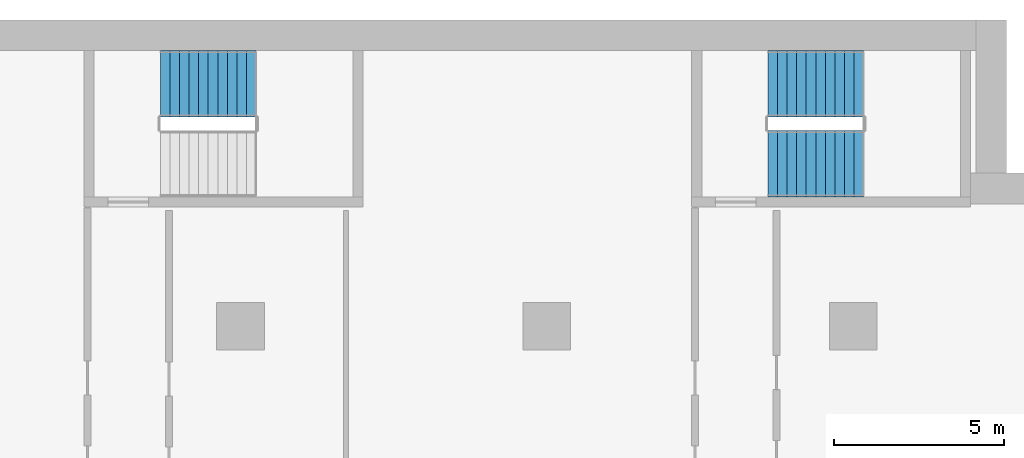
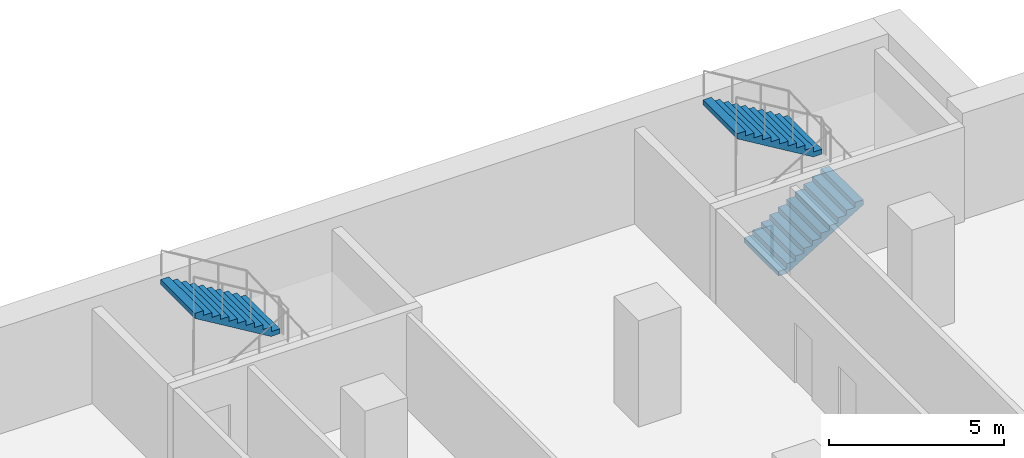
# One storey, part 22 of 28: 3 stair flights, 2 elements without a shape of their own.
"""IFC4 building model written with IfcOpenShell, lengths in metres."""

from ifc_helpers import new_model, si_unit, direction, frame, origin, place, context, subcontext, project, spatial, polyline, outline, extrude, material, type_object, element, aggregate, save


model = new_model("IFC4")

# Units and contexts
model_context = context("Model", 3, precision=1e-05, world=origin(), true_north=direction((0.0, 1.0)))
body_context = subcontext(model_context, "Body", "Model", "MODEL_VIEW")
ifc_project = project(units=[si_unit("LENGTHUNIT", "METRE"), si_unit("AREAUNIT", "SQUARE_METRE"), si_unit("VOLUMEUNIT", "CUBIC_METRE"), si_unit("PLANEANGLEUNIT", "RADIAN"), si_unit("MASSUNIT", "GRAM", prefix="KILO")], contexts=[model_context])

# Site, building, storey
site_placement = place(None, origin())
site = spatial("IfcSite", under=ifc_project, at=site_placement, CompositionType="ELEMENT")
building_placement = place(site_placement, origin())
building = spatial("IfcBuilding", under=site, at=building_placement, Name="Hunhe Ridgeline Campus", CompositionType="ELEMENT")
storey_placement = place(building_placement, frame((0.0, 0.0, 72.800048828125)))
storey = spatial("IfcBuildingStorey", under=building, at=storey_placement, Name="L17", CompositionType="ELEMENT", Elevation=72.800048828125)

# Stair, stair flight
ifc_material = material(Name="Concrete C40", Category="concrete")
stair_type = type_object("IfcStairType", Name="Reinforced concrete dog-leg stair 1950 Concrete C40", PredefinedType="HALF_TURN_STAIR", material=ifc_material)
stair_1_placement = place(storey_placement, origin())
stair_1 = element("IfcStair", 1, at=stair_1_placement, inside=storey, type_object=stair_type, Name="L17 E3", PredefinedType="HALF_TURN_STAIR")
stair_flight_type = type_object("IfcStairFlightType", Name="Reinforced concrete stair flight 1950 Concrete C40", PredefinedType="STRAIGHT", material=ifc_material)
stair_flight_1_placement = place(storey_placement, frame((72.449951171875, 97.125, 1.849853515625), z_axis=(0.0, 0.0, 1.0), x_axis=(-1.0, 0.0, 0.0)))
stair_flight_1 = element("IfcStairFlight", 2, at=stair_flight_1_placement, type_object=stair_flight_type, Name="ST7 flight 2", NumberOfRisers=11, NumberOfTreads=10, PredefinedType="STRAIGHT", RiserHeight=0.168181818, TreadLength=0.28, context=body_context, shape_type="SweptSolid", body=[
    extrude(outline(polyline([(0.0, 0.0), (0.0, 0.168212890625), (0.280029296875, 0.168212890625), (0.280029296875, 0.33642578125), (0.56005859375, 0.33642578125), (0.56005859375, 0.504638671875), (0.840087890625, 0.504638671875), (0.840087890625, 0.672607421875), (1.1201171875, 0.672607421875), (1.1201171875, 0.8408203125), (1.39990234375, 0.8408203125), (1.39990234375, 1.009033203125), (1.679931640625, 1.009033203125), (1.679931640625, 1.17724609375), (1.9599609375, 1.17724609375), (1.9599609375, 1.345458984375), (2.239990234375, 1.345458984375), (2.239990234375, 1.513671875), (2.52001953125, 1.513671875), (2.52001953125, 1.681884765625), (2.800048828125, 1.681884765625), (2.800048828125, 1.85009765625), (2.800048828125, 1.5068359375), (0.291015625, 0.0), (0.0, 0.0)])), frame((0.0, 0.97509765625, 0.0), z_axis=(0.0, -1.0, 0.0), x_axis=(1.0, 0.0, 0.0)), (0.0, 0.0, 1.0), 1.949951171875),
    extrude(outline(polyline([(0.030029296875, 0.030029296875), (0.030029296875, 0.13818359375), (0.31005859375, 0.13818359375), (0.31005859375, 0.306396484375), (0.590087890625, 0.306396484375), (0.590087890625, 0.474609375), (0.8701171875, 0.474609375), (0.8701171875, 0.642578125), (1.14990234375, 0.642578125), (1.14990234375, 0.810791015625), (1.429931640625, 0.810791015625), (1.429931640625, 0.97900390625), (1.7099609375, 0.97900390625), (1.7099609375, 1.147216796875), (1.989990234375, 1.147216796875), (1.989990234375, 1.3154296875), (2.27001953125, 1.3154296875), (2.27001953125, 1.483642578125), (2.550048828125, 1.483642578125), (2.550048828125, 1.65185546875), (2.77001953125, 1.65185546875), (2.77001953125, 1.52392578125), (0.28271484375, 0.030029296875), (0.030029296875, 0.030029296875)])), frame((0.0, -0.070068359375, 0.0), z_axis=(0.0, -1.0, 0.0), x_axis=(1.0, 0.0, 0.0)), (0.0, 0.0, 1.0), 0.019775390625),
    extrude(outline(polyline([(0.030029296875, 0.030029296875), (0.030029296875, 0.13818359375), (0.31005859375, 0.13818359375), (0.31005859375, 0.306396484375), (0.590087890625, 0.306396484375), (0.590087890625, 0.474609375), (0.8701171875, 0.474609375), (0.8701171875, 0.642578125), (1.14990234375, 0.642578125), (1.14990234375, 0.810791015625), (1.429931640625, 0.810791015625), (1.429931640625, 0.97900390625), (1.7099609375, 0.97900390625), (1.7099609375, 1.147216796875), (1.989990234375, 1.147216796875), (1.989990234375, 1.3154296875), (2.27001953125, 1.3154296875), (2.27001953125, 1.483642578125), (2.550048828125, 1.483642578125), (2.550048828125, 1.65185546875), (2.77001953125, 1.65185546875), (2.77001953125, 1.52392578125), (0.28271484375, 0.030029296875), (0.030029296875, 0.030029296875)])), frame((0.0, 0.010009765625, 0.0), z_axis=(0.0, -1.0, 0.0), x_axis=(1.0, 0.0, 0.0)), (0.0, 0.0, 1.0), 0.019775390625),
    extrude(outline(polyline([(0.030029296875, 0.030029296875), (0.030029296875, 0.13818359375), (0.31005859375, 0.13818359375), (0.31005859375, 0.306396484375), (0.590087890625, 0.306396484375), (0.590087890625, 0.474609375), (0.8701171875, 0.474609375), (0.8701171875, 0.642578125), (1.14990234375, 0.642578125), (1.14990234375, 0.810791015625), (1.429931640625, 0.810791015625), (1.429931640625, 0.97900390625), (1.7099609375, 0.97900390625), (1.7099609375, 1.147216796875), (1.989990234375, 1.147216796875), (1.989990234375, 1.3154296875), (2.27001953125, 1.3154296875), (2.27001953125, 1.483642578125), (2.550048828125, 1.483642578125), (2.550048828125, 1.65185546875), (2.77001953125, 1.65185546875), (2.77001953125, 1.52392578125), (0.28271484375, 0.030029296875), (0.030029296875, 0.030029296875)])), frame((0.0, 0.090087890625, 0.0), z_axis=(0.0, -1.0, 0.0), x_axis=(1.0, 0.0, 0.0)), (0.0, 0.0, 1.0), 0.019775390625),
])
aggregate(stair_1, [stair_flight_1])

# Stair, stair flights
stair_2_placement = place(storey_placement, origin())
stair_2 = element("IfcStair", 3, at=stair_2_placement, inside=storey, type_object=stair_type, Name="L17 E4", PredefinedType="HALF_TURN_STAIR")
stair_flight_2_placement = place(storey_placement, frame((87.5, 94.77490234375, 0.0), z_axis=(0.0, 0.0, 1.0), x_axis=(1.0, 0.0, 0.0)))
stair_flight_2 = element("IfcStairFlight", 4, at=stair_flight_2_placement, type_object=stair_flight_type, Name="ST8 flight 1", NumberOfRisers=11, NumberOfTreads=10, PredefinedType="STRAIGHT", RiserHeight=0.168181818, TreadLength=0.28, context=body_context, shape_type="SweptSolid", body=[
    extrude(outline(polyline([(0.0, 0.0), (0.0, 0.168212890625), (0.280029296875, 0.168212890625), (0.280029296875, 0.33642578125), (0.56005859375, 0.33642578125), (0.56005859375, 0.504638671875), (0.840087890625, 0.504638671875), (0.840087890625, 0.672607421875), (1.1201171875, 0.672607421875), (1.1201171875, 0.8408203125), (1.39990234375, 0.8408203125), (1.39990234375, 1.009033203125), (1.679931640625, 1.009033203125), (1.679931640625, 1.17724609375), (1.9599609375, 1.17724609375), (1.9599609375, 1.345458984375), (2.239990234375, 1.345458984375), (2.239990234375, 1.513671875), (2.52001953125, 1.513671875), (2.52001953125, 1.681884765625), (2.800048828125, 1.681884765625), (2.800048828125, 1.85009765625), (2.800048828125, 1.5068359375), (0.291015625, 0.0), (0.0, 0.0)])), frame((0.0, 0.97509765625, 0.0), z_axis=(0.0, -1.0, 0.0), x_axis=(1.0, 0.0, 0.0)), (0.0, 0.0, 1.0), 1.949951171875),
    extrude(outline(polyline([(0.030029296875, 0.030029296875), (0.030029296875, 0.13818359375), (0.31005859375, 0.13818359375), (0.31005859375, 0.306396484375), (0.590087890625, 0.306396484375), (0.590087890625, 0.474609375), (0.8701171875, 0.474609375), (0.8701171875, 0.642578125), (1.14990234375, 0.642578125), (1.14990234375, 0.810791015625), (1.429931640625, 0.810791015625), (1.429931640625, 0.97900390625), (1.7099609375, 0.97900390625), (1.7099609375, 1.147216796875), (1.989990234375, 1.147216796875), (1.989990234375, 1.3154296875), (2.27001953125, 1.3154296875), (2.27001953125, 1.483642578125), (2.550048828125, 1.483642578125), (2.550048828125, 1.65185546875), (2.77001953125, 1.65185546875), (2.77001953125, 1.52392578125), (0.28271484375, 0.030029296875), (0.030029296875, 0.030029296875)])), frame((0.0, -0.070068359375, 0.0), z_axis=(0.0, -1.0, 0.0), x_axis=(1.0, 0.0, 0.0)), (0.0, 0.0, 1.0), 0.019775390625),
    extrude(outline(polyline([(0.030029296875, 0.030029296875), (0.030029296875, 0.13818359375), (0.31005859375, 0.13818359375), (0.31005859375, 0.306396484375), (0.590087890625, 0.306396484375), (0.590087890625, 0.474609375), (0.8701171875, 0.474609375), (0.8701171875, 0.642578125), (1.14990234375, 0.642578125), (1.14990234375, 0.810791015625), (1.429931640625, 0.810791015625), (1.429931640625, 0.97900390625), (1.7099609375, 0.97900390625), (1.7099609375, 1.147216796875), (1.989990234375, 1.147216796875), (1.989990234375, 1.3154296875), (2.27001953125, 1.3154296875), (2.27001953125, 1.483642578125), (2.550048828125, 1.483642578125), (2.550048828125, 1.65185546875), (2.77001953125, 1.65185546875), (2.77001953125, 1.52392578125), (0.28271484375, 0.030029296875), (0.030029296875, 0.030029296875)])), frame((0.0, 0.010009765625, 0.0), z_axis=(0.0, -1.0, 0.0), x_axis=(1.0, 0.0, 0.0)), (0.0, 0.0, 1.0), 0.019775390625),
    extrude(outline(polyline([(0.030029296875, 0.030029296875), (0.030029296875, 0.13818359375), (0.31005859375, 0.13818359375), (0.31005859375, 0.306396484375), (0.590087890625, 0.306396484375), (0.590087890625, 0.474609375), (0.8701171875, 0.474609375), (0.8701171875, 0.642578125), (1.14990234375, 0.642578125), (1.14990234375, 0.810791015625), (1.429931640625, 0.810791015625), (1.429931640625, 0.97900390625), (1.7099609375, 0.97900390625), (1.7099609375, 1.147216796875), (1.989990234375, 1.147216796875), (1.989990234375, 1.3154296875), (2.27001953125, 1.3154296875), (2.27001953125, 1.483642578125), (2.550048828125, 1.483642578125), (2.550048828125, 1.65185546875), (2.77001953125, 1.65185546875), (2.77001953125, 1.52392578125), (0.28271484375, 0.030029296875), (0.030029296875, 0.030029296875)])), frame((0.0, 0.090087890625, 0.0), z_axis=(0.0, -1.0, 0.0), x_axis=(1.0, 0.0, 0.0)), (0.0, 0.0, 1.0), 0.019775390625),
])
stair_flight_3_placement = place(storey_placement, frame((90.300048828125, 97.125, 1.849853515625), z_axis=(0.0, 0.0, 1.0), x_axis=(-1.0, 0.0, 0.0)))
stair_flight_3 = element("IfcStairFlight", 5, at=stair_flight_3_placement, type_object=stair_flight_type, Name="ST8 flight 2", NumberOfRisers=11, NumberOfTreads=10, PredefinedType="STRAIGHT", RiserHeight=0.168181818, TreadLength=0.28, context=body_context, shape_type="SweptSolid", body=[
    extrude(outline(polyline([(0.0, 0.0), (0.0, 0.168212890625), (0.280029296875, 0.168212890625), (0.280029296875, 0.33642578125), (0.56005859375, 0.33642578125), (0.56005859375, 0.504638671875), (0.840087890625, 0.504638671875), (0.840087890625, 0.672607421875), (1.1201171875, 0.672607421875), (1.1201171875, 0.8408203125), (1.39990234375, 0.8408203125), (1.39990234375, 1.009033203125), (1.679931640625, 1.009033203125), (1.679931640625, 1.17724609375), (1.9599609375, 1.17724609375), (1.9599609375, 1.345458984375), (2.239990234375, 1.345458984375), (2.239990234375, 1.513671875), (2.52001953125, 1.513671875), (2.52001953125, 1.681884765625), (2.800048828125, 1.681884765625), (2.800048828125, 1.85009765625), (2.800048828125, 1.5068359375), (0.291015625, 0.0), (0.0, 0.0)])), frame((0.0, 0.97509765625, 0.0), z_axis=(0.0, -1.0, 0.0), x_axis=(1.0, 0.0, 0.0)), (0.0, 0.0, 1.0), 1.949951171875),
    extrude(outline(polyline([(0.030029296875, 0.030029296875), (0.030029296875, 0.13818359375), (0.31005859375, 0.13818359375), (0.31005859375, 0.306396484375), (0.590087890625, 0.306396484375), (0.590087890625, 0.474609375), (0.8701171875, 0.474609375), (0.8701171875, 0.642578125), (1.14990234375, 0.642578125), (1.14990234375, 0.810791015625), (1.429931640625, 0.810791015625), (1.429931640625, 0.97900390625), (1.7099609375, 0.97900390625), (1.7099609375, 1.147216796875), (1.989990234375, 1.147216796875), (1.989990234375, 1.3154296875), (2.27001953125, 1.3154296875), (2.27001953125, 1.483642578125), (2.550048828125, 1.483642578125), (2.550048828125, 1.65185546875), (2.77001953125, 1.65185546875), (2.77001953125, 1.52392578125), (0.28271484375, 0.030029296875), (0.030029296875, 0.030029296875)])), frame((0.0, -0.070068359375, 0.0), z_axis=(0.0, -1.0, 0.0), x_axis=(1.0, 0.0, 0.0)), (0.0, 0.0, 1.0), 0.019775390625),
    extrude(outline(polyline([(0.030029296875, 0.030029296875), (0.030029296875, 0.13818359375), (0.31005859375, 0.13818359375), (0.31005859375, 0.306396484375), (0.590087890625, 0.306396484375), (0.590087890625, 0.474609375), (0.8701171875, 0.474609375), (0.8701171875, 0.642578125), (1.14990234375, 0.642578125), (1.14990234375, 0.810791015625), (1.429931640625, 0.810791015625), (1.429931640625, 0.97900390625), (1.7099609375, 0.97900390625), (1.7099609375, 1.147216796875), (1.989990234375, 1.147216796875), (1.989990234375, 1.3154296875), (2.27001953125, 1.3154296875), (2.27001953125, 1.483642578125), (2.550048828125, 1.483642578125), (2.550048828125, 1.65185546875), (2.77001953125, 1.65185546875), (2.77001953125, 1.52392578125), (0.28271484375, 0.030029296875), (0.030029296875, 0.030029296875)])), frame((0.0, 0.010009765625, 0.0), z_axis=(0.0, -1.0, 0.0), x_axis=(1.0, 0.0, 0.0)), (0.0, 0.0, 1.0), 0.019775390625),
    extrude(outline(polyline([(0.030029296875, 0.030029296875), (0.030029296875, 0.13818359375), (0.31005859375, 0.13818359375), (0.31005859375, 0.306396484375), (0.590087890625, 0.306396484375), (0.590087890625, 0.474609375), (0.8701171875, 0.474609375), (0.8701171875, 0.642578125), (1.14990234375, 0.642578125), (1.14990234375, 0.810791015625), (1.429931640625, 0.810791015625), (1.429931640625, 0.97900390625), (1.7099609375, 0.97900390625), (1.7099609375, 1.147216796875), (1.989990234375, 1.147216796875), (1.989990234375, 1.3154296875), (2.27001953125, 1.3154296875), (2.27001953125, 1.483642578125), (2.550048828125, 1.483642578125), (2.550048828125, 1.65185546875), (2.77001953125, 1.65185546875), (2.77001953125, 1.52392578125), (0.28271484375, 0.030029296875), (0.030029296875, 0.030029296875)])), frame((0.0, 0.090087890625, 0.0), z_axis=(0.0, -1.0, 0.0), x_axis=(1.0, 0.0, 0.0)), (0.0, 0.0, 1.0), 0.019775390625),
])
aggregate(stair_2, [stair_flight_2, stair_flight_3])

save(model, "model.ifc")
